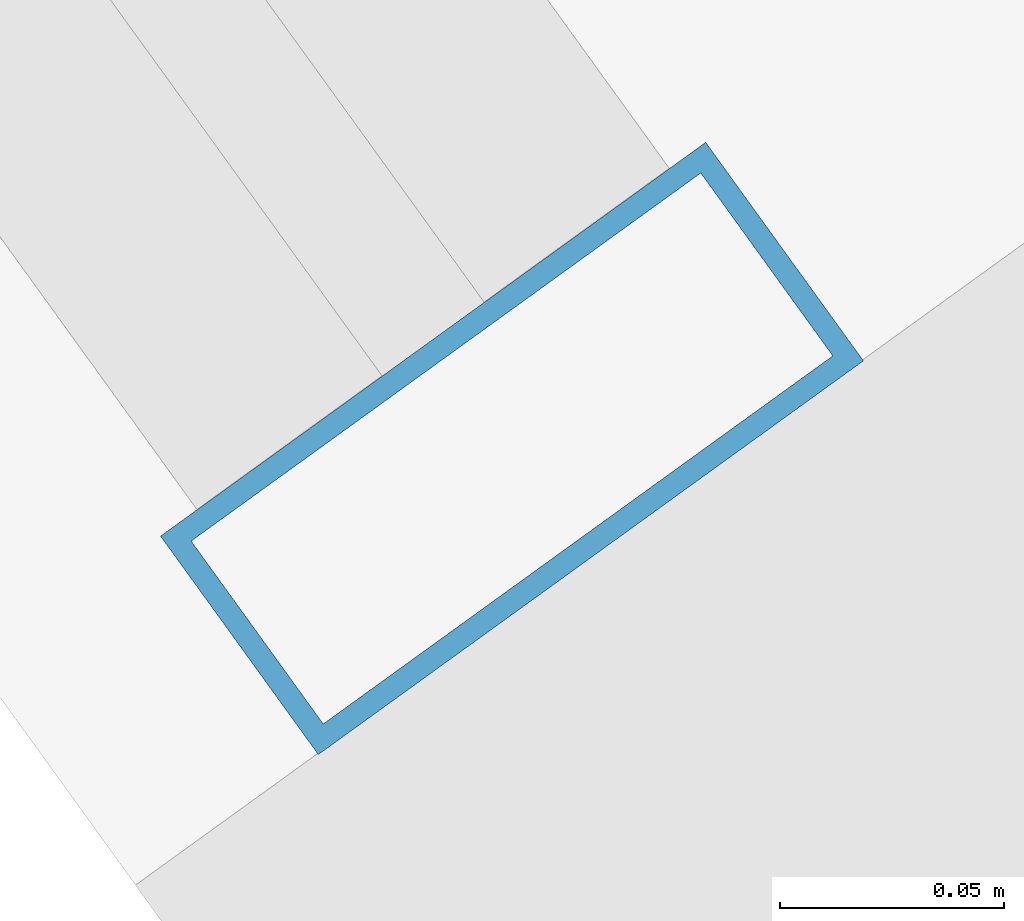
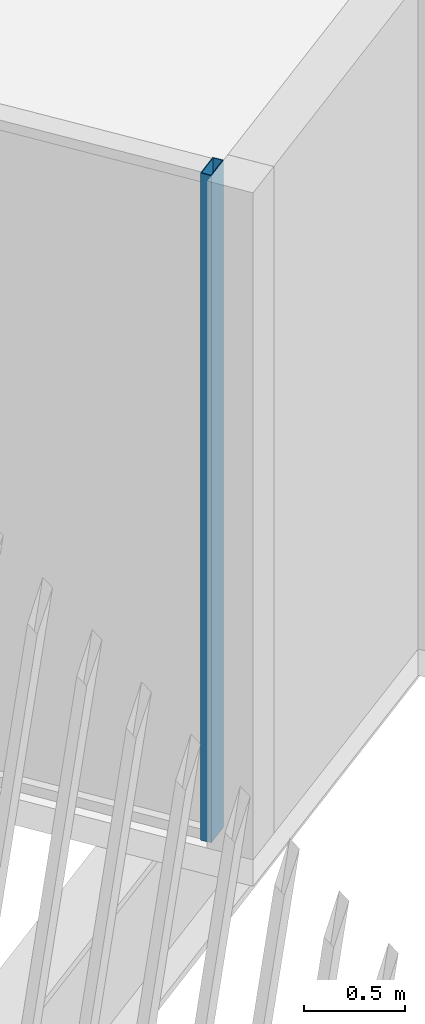
# One storey, part 7 of 27: 1 member, 1 element without a shape of its own.
"""IFC4 building model written with IfcOpenShell, lengths in metres."""

import ifcopenshell
import ifcopenshell.guid

model = None  # the IFC model being written
_history = None  # IfcOwnerHistory: only IFC2X3 demands one
_inside = {}  # id of a spatial element -> (the spatial element, [elements in it])
_under = {}  # id of a project, library or spatial element -> (it, [spatial elements below it])
_declared = {}  # id of a project -> (the project, [libraries it declares])
_typed = {}  # id of a type object -> (the type object, [elements of that type])
_made_of = {}  # id of a material, layer set ... -> (it, [elements and type objects made of it])


def new_model(schema):
    """Start an empty IFC model of exactly this schema.

    Asked for "IFC4X3", IfcOpenShell would pick the latest addendum, in which some entities
    have other attributes; the version numbers below select the first issue.
    IFC2X3 requires an IfcOwnerHistory on every rooted entity: one is made here for all.
    """
    global model, _history
    if schema == "IFC4X3":
        model = ifcopenshell.file(schema_version=(4, 3, 0, 0))
    else:
        model = ifcopenshell.file(schema=schema)
    _inside.clear()
    _under.clear()
    _declared.clear()
    _typed.clear()
    _made_of.clear()
    _history = None
    if model.schema == "IFC2X3":
        org = make("IfcOrganization", Name="unknown")
        user = make(
            "IfcPersonAndOrganization",
            ThePerson=make("IfcPerson", FamilyName="unknown"),
            TheOrganization=org,
        )
        app = make(
            "IfcApplication",
            ApplicationDeveloper=org,
            Version="unknown",
            ApplicationFullName="unknown",
            ApplicationIdentifier="unknown",
        )
        _history = make(
            "IfcOwnerHistory",
            OwningUser=user,
            OwningApplication=app,
            ChangeAction="ADDED",
            CreationDate=0,
        )
    return model


def make(cls, **values):
    """One entity of the class cls with the attributes given. An attribute that is None is left unset."""
    return model.create_entity(
        cls, **{name: value for name, value in values.items() if value is not None}
    )


def rooted(cls, **values):
    """An entity with a GlobalId (a new one), such as an element, a storey or a relation."""
    return make(cls, GlobalId=ifcopenshell.guid.new(), OwnerHistory=_history, **values)


def si_unit(unit_type, name, prefix=None):
    """IfcSIUnit, for example si_unit("LENGTHUNIT", "METRE", prefix="MILLI")."""
    return make("IfcSIUnit", UnitType=unit_type, Prefix=prefix, Name=name)


def assignment(units):
    """IfcUnitAssignment: the units of a project."""
    return None if units is None else make("IfcUnitAssignment", Units=units)


def point(xyz):
    """IfcCartesianPoint."""
    return None if xyz is None else make("IfcCartesianPoint", Coordinates=xyz)


def direction(xyz):
    """IfcDirection."""
    return None if xyz is None else make("IfcDirection", DirectionRatios=xyz)


def frame(location, z_axis=None, x_axis=None):
    """IfcAxis2Placement3D, a coordinate frame: its origin and axes. An axis left out is left unset."""
    return make(
        "IfcAxis2Placement3D",
        Location=point(location),
        Axis=direction(z_axis),
        RefDirection=direction(x_axis),
    )


def frame_2d(location, x_axis=None):
    """IfcAxis2Placement2D, a coordinate frame in the plane: its origin and x axis."""
    return make(
        "IfcAxis2Placement2D", Location=point(location), RefDirection=direction(x_axis)
    )


def origin():
    """The frame at (0, 0, 0) with its axes left unset."""
    return frame((0.0, 0.0, 0.0))


def origin_2d():
    """The frame at (0, 0) in the plane with its x axis left unset."""
    return frame_2d((0.0, 0.0))


def place(relative_to, where):
    """IfcLocalPlacement: puts the frame where relative to a parent placement (None: the world)."""
    return make(
        "IfcLocalPlacement", PlacementRelTo=relative_to, RelativePlacement=where
    )


def context(
    kind, dimensions, precision=None, world=None, true_north=None, identifier=None
):
    """IfcGeometricRepresentationContext, for example the 3D "Model" context."""
    return make(
        "IfcGeometricRepresentationContext",
        ContextIdentifier=identifier,
        ContextType=kind,
        CoordinateSpaceDimension=dimensions,
        Precision=precision,
        WorldCoordinateSystem=world,
        TrueNorth=true_north,
    )


def subcontext(parent, identifier, kind, view, scale=None):
    """IfcGeometricRepresentationSubContext, for example "Body" below "Model"."""
    return make(
        "IfcGeometricRepresentationSubContext",
        ContextIdentifier=identifier,
        ContextType=kind,
        ParentContext=parent,
        TargetScale=scale,
        TargetView=view,
    )


def project(units=None, contexts=None):
    """IfcProject with its units and contexts."""
    return rooted(
        "IfcProject",
        Name="project",
        RepresentationContexts=contexts,
        UnitsInContext=assignment(units),
    )


def spatial(cls, under=None, at=None, **own):
    """A site, building, storey or space (cls), placed at a placement, below another one or the project."""
    s = rooted(cls, ObjectPlacement=at, **own)
    if under is not None:
        _under.setdefault(under.id(), (under, []))[1].append(s)
    return s


def profile(cls, at=None, kind="AREA", **sizes):
    """A parametric profile (cls). Its sizes go by their IFC names, for example OverallWidth=200.0."""
    return make(cls, ProfileType=kind, Position=at, **sizes)


def hollow_rectangle(**sizes):
    """IfcRectangleHollowProfileDef."""
    return profile("IfcRectangleHollowProfileDef", **sizes)


def extrude(swept, where, along, depth):
    """IfcExtrudedAreaSolid: the profile swept, set in the frame where, extruded along a direction by depth."""
    return make(
        "IfcExtrudedAreaSolid",
        SweptArea=swept,
        Position=where,
        ExtrudedDirection=direction(along),
        Depth=depth,
    )


def shape(context_of_items, identifier, shape_type, items):
    """IfcShapeRepresentation: the items that make up one representation, for example the "Body"."""
    return make(
        "IfcShapeRepresentation",
        ContextOfItems=context_of_items,
        RepresentationIdentifier=identifier,
        RepresentationType=shape_type,
        Items=items,
    )


def material(Name=None, Category=None):
    """IfcMaterial."""
    return make("IfcMaterial", Name=Name, Category=Category)


def layer(
    of_material, thickness, ventilated=None, Name=None, Category=None, Priority=None
):
    """IfcMaterialLayer: one layer of a wall or slab, of a material (None: an air gap)."""
    return make(
        "IfcMaterialLayer",
        Material=of_material,
        LayerThickness=thickness,
        IsVentilated=ventilated,
        Name=Name,
        Category=Category,
        Priority=Priority,
    )


def layer_set(layers, Name=None):
    """IfcMaterialLayerSet."""
    return make("IfcMaterialLayerSet", MaterialLayers=layers, LayerSetName=Name)


def material_profile(
    of_material, cross_section, Name=None, Category=None, Priority=None
):
    """IfcMaterialProfile: a cross section and its material."""
    return make(
        "IfcMaterialProfile",
        Name=Name,
        Material=of_material,
        Profile=cross_section,
        Priority=Priority,
        Category=Category,
    )


def profile_set(profiles, Name=None, composite=None):
    """IfcMaterialProfileSet."""
    return make(
        "IfcMaterialProfileSet",
        Name=Name,
        MaterialProfiles=profiles,
        CompositeProfile=composite,
    )


def made_of(thing, what):
    """Note that an element or type object is made of a material, layer set ...; save() writes the relation."""
    if what is not None:
        _made_of.setdefault(what.id(), (what, []))[1].append(thing)
    return thing


def type_object(cls, material=None, **own):
    """A type object (cls), such as IfcWallType, which elements share."""
    return made_of(rooted(cls, **own), material)


def element(
    cls,
    number,
    at=None,
    inside=None,
    cuts=None,
    type_object=None,
    material=None,
    context=None,
    identifier="Body",
    shape_type=None,
    held_by="IfcProductDefinitionShape",
    body=None,
    shapes=None,
    **own,
):
    """One element of the class cls, such as IfcWall. Its Tag is "e" and its number.

    at: its placement. inside: the storey or other place that contains it. cuts: it is an
    opening in that element (IfcRelVoidsElement). A single representation is given by context,
    identifier, shape_type and body (its items); several are given by shapes. held_by: the class
    of the entity that holds the representations. save() writes the other relations.
    """
    e = rooted(cls, Tag="e%d" % number, ObjectPlacement=at, **own)
    if body is not None:
        shapes = [shape(context, identifier, shape_type, body)]
    if shapes is not None:
        e.Representation = make(held_by, Representations=shapes)
    if inside is not None:
        _inside.setdefault(inside.id(), (inside, []))[1].append(e)
    if cuts is not None:
        rooted(
            "IfcRelVoidsElement", RelatingBuildingElement=cuts, RelatedOpeningElement=e
        )
    if type_object is not None:
        _typed.setdefault(type_object.id(), (type_object, []))[1].append(e)
    return made_of(e, material)


def aggregate(whole, parts):
    """IfcRelAggregates: a whole, such as a stair, and the parts it consists of."""
    return rooted("IfcRelAggregates", RelatingObject=whole, RelatedObjects=parts)


def save(model, path):
    """Write the relations noted so far, then the file.

    IfcRelAggregates (storeys below a building ...), IfcRelContainedInSpatialStructure (elements
    in a storey), IfcRelDefinesByType, IfcRelAssociatesMaterial and IfcRelDeclares: one each for
    every whole, place, type object, material and project.
    """
    for whole, parts in _under.values():
        aggregate(whole, parts)
    for where, things in _inside.values():
        rooted(
            "IfcRelContainedInSpatialStructure",
            RelatedElements=things,
            RelatingStructure=where,
        )
    for kind, things in _typed.values():
        rooted("IfcRelDefinesByType", RelatedObjects=things, RelatingType=kind)
    for what, things in _made_of.values():
        rooted("IfcRelAssociatesMaterial", RelatedObjects=things, RelatingMaterial=what)
    for by, libraries in _declared.values():
        rooted("IfcRelDeclares", RelatingContext=by, RelatedDefinitions=libraries)
    model.write(path)


model = new_model("IFC4")

# Units and contexts
model_context = context("Model", 3, precision=1e-05, world=origin(), true_north=direction((0.0, 1.0)))
body_context = subcontext(model_context, "Body", "Model", "MODEL_VIEW")
ifc_project = project(units=[si_unit("LENGTHUNIT", "METRE"), si_unit("AREAUNIT", "SQUARE_METRE"), si_unit("VOLUMEUNIT", "CUBIC_METRE"), si_unit("PLANEANGLEUNIT", "RADIAN"), si_unit("MASSUNIT", "GRAM", prefix="KILO")], contexts=[model_context])

# Site, building, storey
site_placement = place(None, origin())
site = spatial("IfcSite", under=ifc_project, at=site_placement, CompositionType="ELEMENT")
building_placement = place(site_placement, origin())
building = spatial("IfcBuilding", under=site, at=building_placement, Name="Tarsis Ring Headquarters", CompositionType="ELEMENT")
storey_placement = place(building_placement, frame((0.0, 0.0, 373.39990234375)))
storey = spatial("IfcBuildingStorey", under=building, at=storey_placement, Name="L88", CompositionType="ELEMENT", Elevation=373.39990234375)

# Curtain wall, member
ifc_material_1 = material(Name="Aluminium curtain wall", Category="aluminium")
ifc_layer = layer(ifc_material_1, 0.14990234375)
ifc_layer_set = layer_set([ifc_layer], Name="Curtain wall tower unit")
curtain_wall_type = type_object("IfcCurtainWallType", Name="Curtain wall tower unit", PredefinedType="NOTDEFINED", material=ifc_layer_set)
curtain_wall_placement = place(storey_placement, origin())
curtain_wall = element("IfcCurtainWall", 1, at=curtain_wall_placement, inside=storey, type_object=curtain_wall_type, Name="Curtain wall L88-06", PredefinedType="NOTDEFINED")
ifc_material_2 = material(Name="Aluminium mullion", Category="aluminium")
ifc_material_profile = material_profile(ifc_material_2, hollow_rectangle(XDim=0.14990234375, YDim=0.06005859375, WallThickness=0.0048828125, at=origin_2d()), Name="RHS 150x60x5")
ifc_profile_set = profile_set([ifc_material_profile], Name="Aluminium mullion")
member_type = type_object("IfcMemberType", Name="Curtain wall mullion tower unit RHS 150x60x5", PredefinedType="MULLION", material=ifc_profile_set)
member_placement = place(storey_placement, frame((6.604248046875, -29.424560546875, 0.0), z_axis=(0.0, 0.0, 1.0), x_axis=(0.810655242577, 0.585523763551, 0.0)))
member = element("IfcMember", 2, at=member_placement, type_object=member_type, Name="CW-T mullion 3", PredefinedType="MULLION", context=body_context, shape_type="SweptSolid", body=[
    extrude(hollow_rectangle(XDim=0.14990234375, YDim=0.06005859375, WallThickness=0.0048828125, at=origin_2d()), origin(), (0.0, 0.0, 1.0), 4.0400390625),
])
aggregate(curtain_wall, [member])

save(model, "model.ifc")
